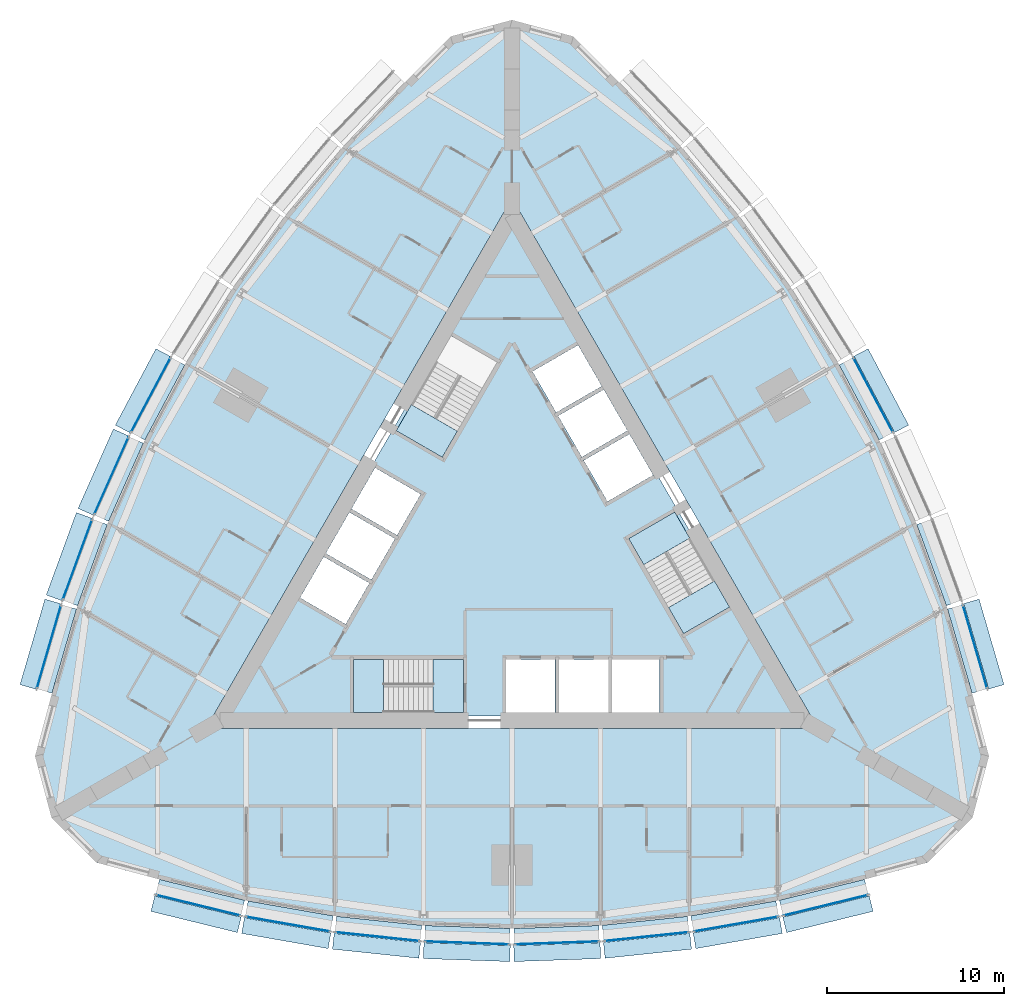
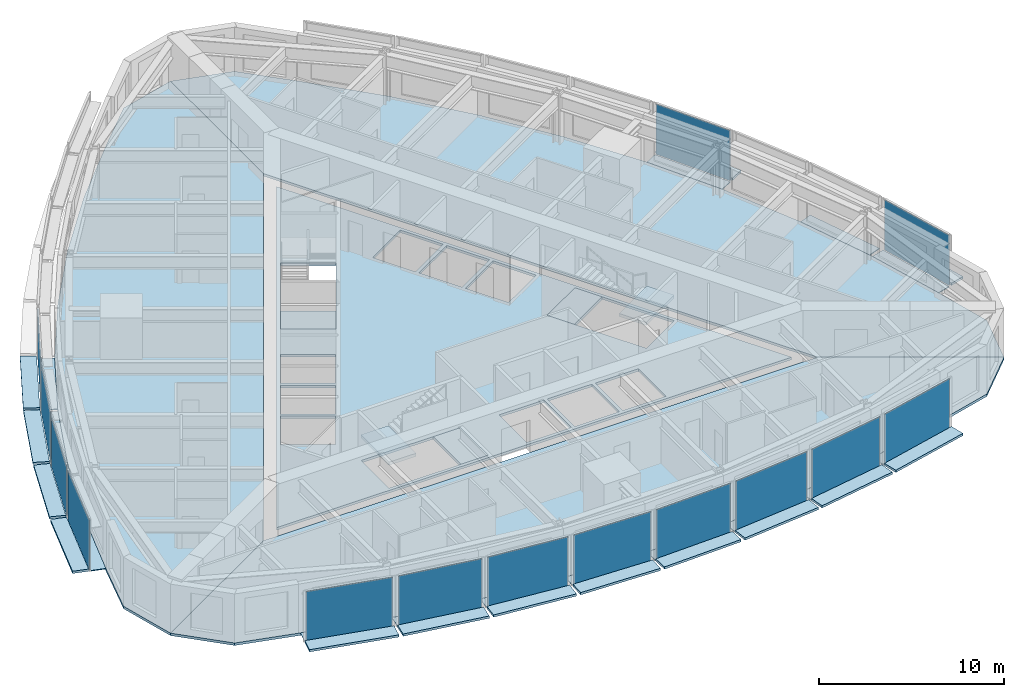
# One storey, part 6 of 14: 43 plates, 9 slabs, 17 elements without a shape of their own.
"""IFC4 building model written with IfcOpenShell, lengths in metres."""

from ifc_helpers import new_model, si_unit, direction, frame, origin, origin_2d, place, context, subcontext, project, spatial, polyline, rectangle, outline, extrude, material, layer, layer_set, type_object, element, aggregate, save


model = new_model("IFC4")

# Units and contexts
model_context = context("Model", 3, precision=1e-05, world=origin(), true_north=direction((0.0, 1.0)))
body_context = subcontext(model_context, "Body", "Model", "MODEL_VIEW")
ifc_project = project(units=[si_unit("LENGTHUNIT", "METRE"), si_unit("AREAUNIT", "SQUARE_METRE"), si_unit("VOLUMEUNIT", "CUBIC_METRE"), si_unit("PLANEANGLEUNIT", "RADIAN"), si_unit("MASSUNIT", "GRAM", prefix="KILO")], contexts=[model_context])

# Site, building, storey
site_placement = place(None, origin())
site = spatial("IfcSite", under=ifc_project, at=site_placement, CompositionType="ELEMENT")
building_placement = place(site_placement, origin())
building = spatial("IfcBuilding", under=site, at=building_placement, Name="Trikona Tower", CompositionType="ELEMENT")
storey_placement = place(building_placement, frame((0.0, 0.0, 155.5)))
storey = spatial("IfcBuildingStorey", under=building, at=storey_placement, Name="L41", CompositionType="ELEMENT", Elevation=155.5)

# Plates
ifc_material_1 = material(Name="Aluminium bar grating", Category="aluminium")
ifc_layer_1 = layer(ifc_material_1, 0.050048828125)
ifc_layer_set_1 = layer_set([ifc_layer_1], Name="Cavity catwalk grating")
plate_type_1 = type_object("IfcPlateType", Name="Cavity catwalk grating", PredefinedType="USERDEFINED", material=ifc_layer_set_1)
plate_1_placement = place(storey_placement, frame((-17.598876953125, -19.49072265625, -0.0498046875), z_axis=(0.0, 0.0, 1.0), x_axis=(0.971274411564, -0.237962218516, 0.0)))
element("IfcPlate", 1, at=plate_1_placement, inside=storey, type_object=plate_type_1, Name="Cavity catwalk L41-00", ObjectType="CATWALK GRATING", PredefinedType="USERDEFINED", context=body_context, shape_type="SweptSolid", body=[
    extrude(rectangle(XDim=4.947998046875, YDim=0.830078125, at=origin_2d()), origin(), (0.0, 0.0, 1.0), 0.050048828125),
])
plate_2_placement = place(storey_placement, frame((-12.571533203125, -20.54638671875, -0.0498046875), z_axis=(0.0, 0.0, 1.0), x_axis=(0.985030604067, -0.172379549401, 0.0)))
element("IfcPlate", 2, at=plate_2_placement, inside=storey, type_object=plate_type_1, Name="Cavity catwalk L41-01", ObjectType="CATWALK GRATING", PredefinedType="USERDEFINED", context=body_context, shape_type="SweptSolid", body=[
    extrude(rectangle(XDim=4.8759765625, YDim=0.830078125, at=origin_2d()), origin(), (0.0, 0.0, 1.0), 0.050048828125),
])
plate_3_placement = place(storey_placement, frame((-7.543212890625, -21.25048828125, -0.0498046875), z_axis=(0.0, 0.0, 1.0), x_axis=(0.994532653854, -0.104426052392, 0.0)))
element("IfcPlate", 3, at=plate_3_placement, inside=storey, type_object=plate_type_1, Name="Cavity catwalk L41-02", ObjectType="CATWALK GRATING", PredefinedType="USERDEFINED", context=body_context, shape_type="SweptSolid", body=[
    extrude(rectangle(XDim=4.827392578125, YDim=0.830078125, at=origin_2d()), origin(), (0.0, 0.0, 1.0), 0.050048828125),
])
for number, where, z_axis, x_axis, name in (
    (4, (-2.514404296875, -21.602294921875, -0.0498046875), (0.0, 0.0, 1.0), (0.999388082937, -0.034977988567, 0.0), "Cavity catwalk L41-03"),
    (5, (2.514404296875, -21.602294921875, -0.0498046875), (0.0, 0.0, 1.0), (0.999388082937, 0.034977988567, 0.0), "Cavity catwalk L41-04"),
):
    element("IfcPlate", number, at=place(storey_placement, frame(where, z_axis=z_axis, x_axis=x_axis)), inside=storey, type_object=plate_type_1, Name=name, ObjectType="CATWALK GRATING", PredefinedType="USERDEFINED", context=body_context, shape_type="SweptSolid", body=[
        extrude(rectangle(XDim=4.802978515625, YDim=0.830078125, at=origin_2d()), origin(), (0.0, 0.0, 1.0), 0.050048828125),
    ])
plate_4_placement = place(storey_placement, frame((7.543212890625, -21.25048828125, -0.0498046875), z_axis=(0.0, 0.0, 1.0), x_axis=(0.994532653854, 0.104426052392, 0.0)))
element("IfcPlate", 6, at=plate_4_placement, inside=storey, type_object=plate_type_1, Name="Cavity catwalk L41-05", ObjectType="CATWALK GRATING", PredefinedType="USERDEFINED", context=body_context, shape_type="SweptSolid", body=[
    extrude(rectangle(XDim=4.827392578125, YDim=0.830078125, at=origin_2d()), origin(), (0.0, 0.0, 1.0), 0.050048828125),
])
plate_5_placement = place(storey_placement, frame((12.571533203125, -20.54638671875, -0.0498046875), z_axis=(0.0, 0.0, 1.0), x_axis=(0.985030604067, 0.172379549401, 0.0)))
element("IfcPlate", 7, at=plate_5_placement, inside=storey, type_object=plate_type_1, Name="Cavity catwalk L41-06", ObjectType="CATWALK GRATING", PredefinedType="USERDEFINED", context=body_context, shape_type="SweptSolid", body=[
    extrude(rectangle(XDim=4.8759765625, YDim=0.830078125, at=origin_2d()), origin(), (0.0, 0.0, 1.0), 0.050048828125),
])
plate_6_placement = place(storey_placement, frame((17.598876953125, -19.49072265625, -0.0498046875), z_axis=(0.0, 0.0, 1.0), x_axis=(0.971274411564, 0.237962218516, 0.0)))
element("IfcPlate", 8, at=plate_6_placement, inside=storey, type_object=plate_type_1, Name="Cavity catwalk L41-07", ObjectType="CATWALK GRATING", PredefinedType="USERDEFINED", context=body_context, shape_type="SweptSolid", body=[
    extrude(rectangle(XDim=4.947998046875, YDim=0.830078125, at=origin_2d()), origin(), (0.0, 0.0, 1.0), 0.050048828125),
])
plate_7_placement = place(storey_placement, frame((25.678955078125, -5.49560546875, -0.0498046875), z_axis=(0.0, 0.0, 1.0), x_axis=(-0.279554203664, 0.960129911634, 0.0)))
element("IfcPlate", 9, at=plate_7_placement, inside=storey, type_object=plate_type_1, Name="Cavity catwalk L41-12", ObjectType="CATWALK GRATING", PredefinedType="USERDEFINED", context=body_context, shape_type="SweptSolid", body=[
    extrude(rectangle(XDim=4.94775390625, YDim=0.830078125, at=origin_2d()), origin(), (0.0, 0.0, 1.0), 0.050048828125),
])
plate_8_placement = place(storey_placement, frame((24.07958984375, -0.614013671875, -0.0498046875), z_axis=(0.0, 0.0, 1.0), x_axis=(-0.343220397324, 0.939254895575, 0.0)))
element("IfcPlate", 10, at=plate_8_placement, inside=storey, type_object=plate_type_1, Name="Cavity catwalk L41-13", ObjectType="CATWALK GRATING", PredefinedType="USERDEFINED", context=body_context, shape_type="SweptSolid", body=[
    extrude(rectangle(XDim=4.8759765625, YDim=0.830078125, at=origin_2d()), origin(), (0.0, 0.0, 1.0), 0.050048828125),
])
for number, where, z_axis, x_axis, name in (
    (11, (19.965576171875, 8.62353515625, -0.0498046875), (0.0, 0.0, 1.0), (-0.469397591494, 0.882986920118, 0.0), "Cavity catwalk L41-15"),
    (12, (-19.965576171875, 8.62353515625, -0.0498046875), (0.0, 0.0, 1.0), (-0.469397591494, -0.882986920118, 0.0), "Cavity catwalk L41-28"),
):
    element("IfcPlate", number, at=place(storey_placement, frame(where, z_axis=z_axis, x_axis=x_axis)), inside=storey, type_object=plate_type_1, Name=name, ObjectType="CATWALK GRATING", PredefinedType="USERDEFINED", context=body_context, shape_type="SweptSolid", body=[
        extrude(rectangle(XDim=4.802978515625, YDim=0.830078125, at=origin_2d()), origin(), (0.0, 0.0, 1.0), 0.050048828125),
    ])
plate_9_placement = place(storey_placement, frame((-22.175048828125, 4.092529296875, -0.0498046875), z_axis=(0.0, 0.0, 1.0), x_axis=(-0.406843467615, -0.913497888809, 0.0)))
element("IfcPlate", 13, at=plate_9_placement, inside=storey, type_object=plate_type_1, Name="Cavity catwalk L41-29", ObjectType="CATWALK GRATING", PredefinedType="USERDEFINED", context=body_context, shape_type="SweptSolid", body=[
    extrude(rectangle(XDim=4.827392578125, YDim=0.830078125, at=origin_2d()), origin(), (0.0, 0.0, 1.0), 0.050048828125),
])
plate_10_placement = place(storey_placement, frame((-24.07958984375, -0.614013671875, -0.0498046875), z_axis=(0.0, 0.0, 1.0), x_axis=(-0.343220397324, -0.939254895575, 0.0)))
element("IfcPlate", 14, at=plate_10_placement, inside=storey, type_object=plate_type_1, Name="Cavity catwalk L41-30", ObjectType="CATWALK GRATING", PredefinedType="USERDEFINED", context=body_context, shape_type="SweptSolid", body=[
    extrude(rectangle(XDim=4.8759765625, YDim=0.830078125, at=origin_2d()), origin(), (0.0, 0.0, 1.0), 0.050048828125),
])
plate_11_placement = place(storey_placement, frame((-25.678955078125, -5.49560546875, -0.0498046875), z_axis=(0.0, 0.0, 1.0), x_axis=(-0.279554203664, -0.960129911634, 0.0)))
element("IfcPlate", 15, at=plate_11_placement, inside=storey, type_object=plate_type_1, Name="Cavity catwalk L41-31", ObjectType="CATWALK GRATING", PredefinedType="USERDEFINED", context=body_context, shape_type="SweptSolid", body=[
    extrude(rectangle(XDim=4.94775390625, YDim=0.830078125, at=origin_2d()), origin(), (0.0, 0.0, 1.0), 0.050048828125),
])

# Slabs
ifc_material_2 = material(Name="Concrete f'c 5000 psi lightweight on composite steel deck", Category="concrete")
ifc_layer_2 = layer(ifc_material_2, 0.1650390625)
ifc_layer_set_2 = layer_set([ifc_layer_2], Name="Composite floor slab 165")
slab_type_1 = type_object("IfcSlabType", Name="Composite floor slab 165", PredefinedType="FLOOR", material=ifc_layer_set_2)
slab_1_placement = place(storey_placement, frame((0.0, 0.0, -0.1650390625)))
element("IfcSlab", 16, at=slab_1_placement, inside=storey, type_object=slab_type_1, Name="Floor slab L41 core", PredefinedType="FLOOR", context=body_context, shape_type="SweptSolid", body=[
    extrude(outline(polyline([(-16.06689453125, -9.2763671875), (16.06689453125, -9.2763671875), (0.0, 18.552490234375), (-16.06689453125, -9.2763671875)]), holes=[polyline([(12.285400390625, -3.126220703125), (9.185302734375, 2.2431640625), (6.587158203125, 0.7431640625), (9.687255859375, -4.626220703125), (12.285400390625, -3.126220703125)]), polyline([(8.340087890625, -9.06640625), (8.340087890625, -6.086181640625), (5.659912109375, -6.086181640625), (5.659912109375, -9.06640625), (8.340087890625, -9.06640625)]), polyline([(5.390869140625, 2.835205078125), (7.9716796875, 4.3251953125), (6.631591796875, 6.646240234375), (4.05078125, 5.15625), (5.390869140625, 2.835205078125)]), polyline([(2.600830078125, 7.667724609375), (3.94091796875, 5.3466796875), (6.521484375, 6.8369140625), (5.181640625, 9.15771484375), (2.600830078125, 7.667724609375)]), polyline([(5.43994140625, -6.086181640625), (2.659912109375, -6.086181640625), (2.659912109375, -9.06640625), (5.43994140625, -9.06640625), (5.43994140625, -6.086181640625)]), polyline([(3.731689453125, 11.669189453125), (1.15087890625, 10.17919921875), (2.490966796875, 7.858154296875), (5.071533203125, 9.34814453125), (3.731689453125, 11.669189453125)]), polyline([(-0.340087890625, -6.086181640625), (-0.340087890625, -9.06640625), (2.43994140625, -9.06640625), (2.43994140625, -6.086181640625), (-0.340087890625, -6.086181640625)]), polyline([(-3.435302734375, 12.202392578125), (-6.535400390625, 6.8330078125), (-3.937255859375, 5.3330078125), (-0.837158203125, 10.702392578125), (-3.435302734375, 12.202392578125)]), polyline([(-8.949951171875, -9.076416015625), (-2.75, -9.076416015625), (-2.75, -6.076416015625), (-8.949951171875, -6.076416015625), (-8.949951171875, -9.076416015625)]), polyline([(-5.15087890625, 3.2509765625), (-7.731689453125, 4.740966796875), (-9.071533203125, 2.419921875), (-6.490966796875, 0.929931640625), (-5.15087890625, 3.2509765625)]), polyline([(-7.94091796875, -1.581298828125), (-6.600830078125, 0.739501953125), (-9.181640625, 2.2294921875), (-10.521484375, -0.09130859375), (-7.94091796875, -1.581298828125)]), polyline([(-11.9716796875, -2.602783203125), (-9.390869140625, -4.093017578125), (-8.05078125, -1.77197265625), (-10.631591796875, -0.281982421875), (-11.9716796875, -2.602783203125)])]), origin(), (0.0, 0.0, 1.0), 0.1650390625),
])
slab_2_placement = place(storey_placement, frame((0.0, 0.0, -0.1650390625)))
element("IfcSlab", 17, at=slab_2_placement, inside=storey, type_object=slab_type_1, Name="Floor slab L41 south", PredefinedType="FLOOR", context=body_context, shape_type="SweptSolid", body=[
    extrude(outline(polyline([(23.464111328125, -17.547119140625), (26.0, -15.010986328125), (17.279296875, -9.976318359375), (-17.279296875, -9.976318359375), (-26.0, -15.010986328125), (-23.464111328125, -17.547119140625), (-20.0, -18.47509765625), (-15.0, -19.7001953125), (-10.0, -20.5751953125), (-5.0, -21.10009765625), (0.0, -21.275146484375), (5.0, -21.10009765625), (10.0, -20.5751953125), (15.0, -19.7001953125), (20.0, -18.47509765625), (23.464111328125, -17.547119140625)])), origin(), (0.0, 0.0, 1.0), 0.1650390625),
])
slab_3_placement = place(storey_placement, frame((0.0, 0.0, -0.1650390625)))
element("IfcSlab", 18, at=slab_3_placement, inside=storey, type_object=slab_type_1, Name="Floor slab L41 north-east", PredefinedType="FLOOR", context=body_context, shape_type="SweptSolid", body=[
    extrude(outline(polyline([(3.464111328125, 29.093994140625), (0.0, 30.022216796875), (0.0, 19.95263671875), (17.279296875, -9.976318359375), (26.0, -15.010986328125), (26.92822265625, -11.547119140625), (26.0, -8.0830078125), (24.560791015625, -3.140380859375), (22.818603515625, 1.62744140625), (20.773193359375, 6.219970703125), (18.4248046875, 10.6376953125), (15.773193359375, 14.880126953125), (12.818603515625, 18.947998046875), (9.560791015625, 22.840576171875), (6.0, 26.55810546875), (3.464111328125, 29.093994140625)])), origin(), (0.0, 0.0, 1.0), 0.1650390625),
])
slab_4_placement = place(storey_placement, frame((0.0, 0.0, -0.1650390625)))
element("IfcSlab", 19, at=slab_4_placement, inside=storey, type_object=slab_type_1, Name="Floor slab L41 north-west", PredefinedType="FLOOR", context=body_context, shape_type="SweptSolid", body=[
    extrude(outline(polyline([(0.0, 19.95263671875), (0.0, 30.022216796875), (-3.464111328125, 29.093994140625), (-6.0, 26.55810546875), (-9.560791015625, 22.840576171875), (-12.818603515625, 18.947998046875), (-15.773193359375, 14.880126953125), (-18.4248046875, 10.6376953125), (-20.773193359375, 6.219970703125), (-22.818603515625, 1.62744140625), (-24.560791015625, -3.140380859375), (-26.0, -8.0830078125), (-26.92822265625, -11.547119140625), (-26.0, -15.010986328125), (-17.279296875, -9.976318359375), (0.0, 19.95263671875)])), origin(), (0.0, 0.0, 1.0), 0.1650390625),
])

# Curtain wall, plate
ifc_material_3 = material(Name="Aluminium curtain wall system", Category="aluminium")
curtain_wall_type = type_object("IfcCurtainWallType", Name="Curtain wall DS2", PredefinedType="NOTDEFINED", material=ifc_material_3)
curtain_wall_1_placement = place(storey_placement, origin())
curtain_wall_1 = element("IfcCurtainWall", 20, at=curtain_wall_1_placement, inside=storey, type_object=curtain_wall_type, Name="Curtain wall DS2 L41", PredefinedType="NOTDEFINED")
ifc_material_4 = material(Name="Laminated clear glass", Category="glass")
ifc_layer_3 = layer(ifc_material_4, 0.028076171875)
ifc_layer_set_3 = layer_set([ifc_layer_3], Name="Glass panel DS2")
plate_type_2 = type_object("IfcPlateType", Name="Glass panel DS2", PredefinedType="CURTAIN_PANEL", material=ifc_layer_set_3)
plate_12_placement = place(storey_placement, frame((-17.714111328125, -19.9619140625, 0.0), z_axis=(0.0, 0.0, 1.0), x_axis=(0.971272455026, -0.237970204243, 0.0)))
plate_12 = element("IfcPlate", 21, at=plate_12_placement, type_object=plate_type_2, Name="CW-DS2 panel 1.1", PredefinedType="CURTAIN_PANEL", context=body_context, shape_type="SweptSolid", body=[
    extrude(rectangle(XDim=4.867919921875, YDim=0.028076171875, at=origin_2d()), origin(), (0.0, 0.0, 1.0), 3.320068359375),
])
aggregate(curtain_wall_1, [plate_12])

curtain_wall_2_placement = place(storey_placement, origin())
curtain_wall_2 = element("IfcCurtainWall", 22, at=curtain_wall_2_placement, inside=storey, type_object=curtain_wall_type, Name="Curtain wall DS2 L41", PredefinedType="NOTDEFINED")
plate_13_placement = place(storey_placement, frame((-12.655029296875, -21.024169921875, 0.0), z_axis=(0.0, 0.0, 1.0), x_axis=(0.985030981074, -0.17237739505, 0.0)))
plate_13 = element("IfcPlate", 23, at=plate_13_placement, type_object=plate_type_2, Name="CW-DS2 panel 1.1", PredefinedType="CURTAIN_PANEL", context=body_context, shape_type="SweptSolid", body=[
    extrude(rectangle(XDim=4.7958984375, YDim=0.028076171875, at=origin_2d()), origin(), (0.0, 0.0, 1.0), 3.320068359375),
])
aggregate(curtain_wall_2, [plate_13])

curtain_wall_3_placement = place(storey_placement, origin())
curtain_wall_3 = element("IfcCurtainWall", 24, at=curtain_wall_3_placement, inside=storey, type_object=curtain_wall_type, Name="Curtain wall DS2 L41", PredefinedType="NOTDEFINED")
plate_14_placement = place(storey_placement, frame((-7.593994140625, -21.732666015625, 0.0), z_axis=(0.0, 0.0, 1.0), x_axis=(0.994531883654, -0.104433387357, 0.0)))
plate_14 = element("IfcPlate", 25, at=plate_14_placement, type_object=plate_type_2, Name="CW-DS2 panel 1.1", PredefinedType="CURTAIN_PANEL", context=body_context, shape_type="SweptSolid", body=[
    extrude(rectangle(XDim=4.747314453125, YDim=0.028076171875, at=origin_2d()), origin(), (0.0, 0.0, 1.0), 3.320068359375),
])
aggregate(curtain_wall_3, [plate_14])

curtain_wall_4_placement = place(storey_placement, origin())
curtain_wall_4 = element("IfcCurtainWall", 26, at=curtain_wall_4_placement, inside=storey, type_object=curtain_wall_type, Name="Curtain wall DS2 L41", PredefinedType="NOTDEFINED")
plate_15_placement = place(storey_placement, frame((-2.531494140625, -22.087158203125, 0.0), z_axis=(0.0, 0.0, 1.0), x_axis=(0.99938737114, -0.034998320052, 0.0)))
plate_15 = element("IfcPlate", 27, at=plate_15_placement, type_object=plate_type_2, Name="CW-DS2 panel 1.1", PredefinedType="CURTAIN_PANEL", context=body_context, shape_type="SweptSolid", body=[
    extrude(rectangle(XDim=4.72314453125, YDim=0.028076171875, at=origin_2d()), origin(), (0.0, 0.0, 1.0), 3.320068359375),
])
aggregate(curtain_wall_4, [plate_15])

curtain_wall_5_placement = place(storey_placement, origin())
curtain_wall_5 = element("IfcCurtainWall", 28, at=curtain_wall_5_placement, inside=storey, type_object=curtain_wall_type, Name="Curtain wall DS2 L41", PredefinedType="NOTDEFINED")
plate_16_placement = place(storey_placement, frame((2.531494140625, -22.087158203125, 0.0), z_axis=(0.0, 0.0, 1.0), x_axis=(0.99938737114, 0.034998320052, 0.0)))
plate_16 = element("IfcPlate", 29, at=plate_16_placement, type_object=plate_type_2, Name="CW-DS2 panel 1.1", PredefinedType="CURTAIN_PANEL", context=body_context, shape_type="SweptSolid", body=[
    extrude(rectangle(XDim=4.72314453125, YDim=0.028076171875, at=origin_2d()), origin(), (0.0, 0.0, 1.0), 3.320068359375),
])
aggregate(curtain_wall_5, [plate_16])

curtain_wall_6_placement = place(storey_placement, origin())
curtain_wall_6 = element("IfcCurtainWall", 30, at=curtain_wall_6_placement, inside=storey, type_object=curtain_wall_type, Name="Curtain wall DS2 L41", PredefinedType="NOTDEFINED")
plate_17_placement = place(storey_placement, frame((7.593994140625, -21.732666015625, 0.0), z_axis=(0.0, 0.0, 1.0), x_axis=(0.994531883654, 0.104433387357, 0.0)))
plate_17 = element("IfcPlate", 31, at=plate_17_placement, type_object=plate_type_2, Name="CW-DS2 panel 1.1", PredefinedType="CURTAIN_PANEL", context=body_context, shape_type="SweptSolid", body=[
    extrude(rectangle(XDim=4.747314453125, YDim=0.028076171875, at=origin_2d()), origin(), (0.0, 0.0, 1.0), 3.320068359375),
])
aggregate(curtain_wall_6, [plate_17])

curtain_wall_7_placement = place(storey_placement, origin())
curtain_wall_7 = element("IfcCurtainWall", 32, at=curtain_wall_7_placement, inside=storey, type_object=curtain_wall_type, Name="Curtain wall DS2 L41", PredefinedType="NOTDEFINED")
plate_18_placement = place(storey_placement, frame((12.655029296875, -21.024169921875, 0.0), z_axis=(0.0, 0.0, 1.0), x_axis=(0.985030981074, 0.17237739505, 0.0)))
plate_18 = element("IfcPlate", 33, at=plate_18_placement, type_object=plate_type_2, Name="CW-DS2 panel 1.1", PredefinedType="CURTAIN_PANEL", context=body_context, shape_type="SweptSolid", body=[
    extrude(rectangle(XDim=4.7958984375, YDim=0.028076171875, at=origin_2d()), origin(), (0.0, 0.0, 1.0), 3.320068359375),
])
aggregate(curtain_wall_7, [plate_18])

curtain_wall_8_placement = place(storey_placement, origin())
curtain_wall_8 = element("IfcCurtainWall", 34, at=curtain_wall_8_placement, inside=storey, type_object=curtain_wall_type, Name="Curtain wall DS2 L41", PredefinedType="NOTDEFINED")
plate_19_placement = place(storey_placement, frame((17.714111328125, -19.9619140625, 0.0), z_axis=(0.0, 0.0, 1.0), x_axis=(0.971272455026, 0.237970204243, 0.0)))
plate_19 = element("IfcPlate", 35, at=plate_19_placement, type_object=plate_type_2, Name="CW-DS2 panel 1.1", PredefinedType="CURTAIN_PANEL", context=body_context, shape_type="SweptSolid", body=[
    extrude(rectangle(XDim=4.867919921875, YDim=0.028076171875, at=origin_2d()), origin(), (0.0, 0.0, 1.0), 3.320068359375),
])
aggregate(curtain_wall_8, [plate_19])

curtain_wall_9_placement = place(storey_placement, origin())
curtain_wall_9 = element("IfcCurtainWall", 36, at=curtain_wall_9_placement, inside=storey, type_object=curtain_wall_type, Name="Curtain wall DS2 L41", PredefinedType="NOTDEFINED")
plate_20_placement = place(storey_placement, frame((26.14453125, -5.360107421875, 0.0), z_axis=(0.0, 0.0, 1.0), x_axis=(-0.279543247757, 0.96013310152, 0.0)))
plate_20 = element("IfcPlate", 37, at=plate_20_placement, type_object=plate_type_2, Name="CW-DS2 panel 1.1", PredefinedType="CURTAIN_PANEL", context=body_context, shape_type="SweptSolid", body=[
    extrude(rectangle(XDim=4.867919921875, YDim=0.028076171875, at=origin_2d()), origin(), (0.0, 0.0, 1.0), 3.320068359375),
])
aggregate(curtain_wall_9, [plate_20])

curtain_wall_10_placement = place(storey_placement, origin())
curtain_wall_10 = element("IfcCurtainWall", 38, at=curtain_wall_10_placement, inside=storey, type_object=curtain_wall_type, Name="Curtain wall DS2 L41", PredefinedType="NOTDEFINED")
plate_21_placement = place(storey_placement, frame((20.393798828125, 8.851318359375, 0.0), z_axis=(0.0, 0.0, 1.0), x_axis=(-0.469380308937, 0.882996107343, 0.0)))
plate_21 = element("IfcPlate", 39, at=plate_21_placement, type_object=plate_type_2, Name="CW-DS2 panel 1.1", PredefinedType="CURTAIN_PANEL", context=body_context, shape_type="SweptSolid", body=[
    extrude(rectangle(XDim=4.72314453125, YDim=0.028076171875, at=origin_2d()), origin(), (0.0, 0.0, 1.0), 3.320068359375),
])
aggregate(curtain_wall_10, [plate_21])

curtain_wall_11_placement = place(storey_placement, origin())
curtain_wall_11 = element("IfcCurtainWall", 40, at=curtain_wall_11_placement, inside=storey, type_object=curtain_wall_type, Name="Curtain wall DS2 L41", PredefinedType="NOTDEFINED")
plate_22_placement = place(storey_placement, frame((-20.393798828125, 8.851318359375, 0.0), z_axis=(0.0, 0.0, 1.0), x_axis=(-0.469380308937, -0.882996107343, 0.0)))
plate_22 = element("IfcPlate", 41, at=plate_22_placement, type_object=plate_type_2, Name="CW-DS2 panel 1.1", PredefinedType="CURTAIN_PANEL", context=body_context, shape_type="SweptSolid", body=[
    extrude(rectangle(XDim=4.72314453125, YDim=0.028076171875, at=origin_2d()), origin(), (0.0, 0.0, 1.0), 3.320068359375),
])
aggregate(curtain_wall_11, [plate_22])

curtain_wall_12_placement = place(storey_placement, origin())
curtain_wall_12 = element("IfcCurtainWall", 42, at=curtain_wall_12_placement, inside=storey, type_object=curtain_wall_type, Name="Curtain wall DS2 L41", PredefinedType="NOTDEFINED")
plate_23_placement = place(storey_placement, frame((-22.6181640625, 4.289794921875, 0.0), z_axis=(0.0, 0.0, 1.0), x_axis=(-0.406836013132, -0.913501208767, 0.0)))
plate_23 = element("IfcPlate", 43, at=plate_23_placement, type_object=plate_type_2, Name="CW-DS2 panel 1.1", PredefinedType="CURTAIN_PANEL", context=body_context, shape_type="SweptSolid", body=[
    extrude(rectangle(XDim=4.747314453125, YDim=0.028076171875, at=origin_2d()), origin(), (0.0, 0.0, 1.0), 3.320068359375),
])
aggregate(curtain_wall_12, [plate_23])

curtain_wall_13_placement = place(storey_placement, origin())
curtain_wall_13 = element("IfcCurtainWall", 44, at=curtain_wall_13_placement, inside=storey, type_object=curtain_wall_type, Name="Curtain wall DS2 L41", PredefinedType="NOTDEFINED")
plate_24_placement = place(storey_placement, frame((-24.53515625, -0.447509765625, 0.0), z_axis=(0.0, 0.0, 1.0), x_axis=(-0.343223420143, -0.939253790978, 0.0)))
plate_24 = element("IfcPlate", 45, at=plate_24_placement, type_object=plate_type_2, Name="CW-DS2 panel 1.1", PredefinedType="CURTAIN_PANEL", context=body_context, shape_type="SweptSolid", body=[
    extrude(rectangle(XDim=4.7958984375, YDim=0.028076171875, at=origin_2d()), origin(), (0.0, 0.0, 1.0), 3.320068359375),
])
aggregate(curtain_wall_13, [plate_24])

curtain_wall_14_placement = place(storey_placement, origin())
curtain_wall_14 = element("IfcCurtainWall", 46, at=curtain_wall_14_placement, inside=storey, type_object=curtain_wall_type, Name="Curtain wall DS2 L41", PredefinedType="NOTDEFINED")
plate_25_placement = place(storey_placement, frame((-26.14453125, -5.360107421875, 0.0), z_axis=(0.0, 0.0, 1.0), x_axis=(-0.279543247757, -0.96013310152, 0.0)))
plate_25 = element("IfcPlate", 47, at=plate_25_placement, type_object=plate_type_2, Name="CW-DS2 panel 1.1", PredefinedType="CURTAIN_PANEL", context=body_context, shape_type="SweptSolid", body=[
    extrude(rectangle(XDim=4.867919921875, YDim=0.028076171875, at=origin_2d()), origin(), (0.0, 0.0, 1.0), 3.320068359375),
])
aggregate(curtain_wall_14, [plate_25])

# Plates
ifc_material_5 = material(Name="Aluminium plate fin, pale anodised, on stainless steel outriggers", Category="steel")
ifc_layer_4 = layer(ifc_material_5, 0.14990234375)
ifc_layer_set_4 = layer_set([ifc_layer_4], Name="Outer skin fin 900")
plate_type_3 = type_object("IfcPlateType", Name="Outer skin fin 900", PredefinedType="USERDEFINED", material=ifc_layer_set_4)
plate_26_placement = place(storey_placement, frame((-17.837890625, -20.466796875, 0.0), z_axis=(0.0, 0.0, 1.0), x_axis=(0.971274411564, -0.237962218516, 0.0)))
element("IfcPlate", 48, at=plate_26_placement, inside=storey, type_object=plate_type_3, Name="Outer skin fin L41-00", ObjectType="FIN", PredefinedType="USERDEFINED", context=body_context, shape_type="SweptSolid", body=[
    extrude(rectangle(XDim=5.02783203125, YDim=0.89990234375, at=origin_2d()), origin(), (0.0, 0.0, 1.0), 0.14990234375),
])
plate_27_placement = place(storey_placement, frame((-12.744873046875, -21.536376953125, 0.0), z_axis=(0.0, 0.0, 1.0), x_axis=(0.985030604067, -0.172379549401, 0.0)))
element("IfcPlate", 49, at=plate_27_placement, inside=storey, type_object=plate_type_3, Name="Outer skin fin L41-01", ObjectType="FIN", PredefinedType="USERDEFINED", context=body_context, shape_type="SweptSolid", body=[
    extrude(rectangle(XDim=4.9560546875, YDim=0.89990234375, at=origin_2d()), origin(), (0.0, 0.0, 1.0), 0.14990234375),
])
plate_28_placement = place(storey_placement, frame((-7.648193359375, -22.25, 0.0), z_axis=(0.0, 0.0, 1.0), x_axis=(0.994532653854, -0.104426052392, 0.0)))
element("IfcPlate", 50, at=plate_28_placement, inside=storey, type_object=plate_type_3, Name="Outer skin fin L41-02", ObjectType="FIN", PredefinedType="USERDEFINED", context=body_context, shape_type="SweptSolid", body=[
    extrude(rectangle(XDim=4.907470703125, YDim=0.89990234375, at=origin_2d()), origin(), (0.0, 0.0, 1.0), 0.14990234375),
])
for number, where, z_axis, x_axis, name in (
    (51, (-2.5498046875, -22.606689453125, 0.0), (0.0, 0.0, 1.0), (0.999388082937, -0.034977988567, 0.0), "Outer skin fin L41-03"),
    (52, (2.5498046875, -22.606689453125, 0.0), (0.0, 0.0, 1.0), (0.999388082937, 0.034977988567, 0.0), "Outer skin fin L41-04"),
):
    element("IfcPlate", number, at=place(storey_placement, frame(where, z_axis=z_axis, x_axis=x_axis)), inside=storey, type_object=plate_type_3, Name=name, ObjectType="FIN", PredefinedType="USERDEFINED", context=body_context, shape_type="SweptSolid", body=[
        extrude(rectangle(XDim=4.883056640625, YDim=0.89990234375, at=origin_2d()), origin(), (0.0, 0.0, 1.0), 0.14990234375),
    ])
plate_29_placement = place(storey_placement, frame((7.648193359375, -22.25, 0.0), z_axis=(0.0, 0.0, 1.0), x_axis=(0.994532653854, 0.104426052392, 0.0)))
element("IfcPlate", 53, at=plate_29_placement, inside=storey, type_object=plate_type_3, Name="Outer skin fin L41-05", ObjectType="FIN", PredefinedType="USERDEFINED", context=body_context, shape_type="SweptSolid", body=[
    extrude(rectangle(XDim=4.907470703125, YDim=0.89990234375, at=origin_2d()), origin(), (0.0, 0.0, 1.0), 0.14990234375),
])
plate_30_placement = place(storey_placement, frame((12.744873046875, -21.536376953125, 0.0), z_axis=(0.0, 0.0, 1.0), x_axis=(0.985030604067, 0.172379549401, 0.0)))
element("IfcPlate", 54, at=plate_30_placement, inside=storey, type_object=plate_type_3, Name="Outer skin fin L41-06", ObjectType="FIN", PredefinedType="USERDEFINED", context=body_context, shape_type="SweptSolid", body=[
    extrude(rectangle(XDim=4.9560546875, YDim=0.89990234375, at=origin_2d()), origin(), (0.0, 0.0, 1.0), 0.14990234375),
])
for number, where, z_axis, x_axis, name in (
    (55, (17.837890625, -20.466796875, 0.0), (0.0, 0.0, 1.0), (0.971274411564, 0.237962218516, 0.0), "Outer skin fin L41-07"),
    (56, (26.643798828125, -5.214599609375, 0.0), (0.0, 0.0, 1.0), (-0.279554203664, 0.960129911634, 0.0), "Outer skin fin L41-12"),
):
    element("IfcPlate", number, at=place(storey_placement, frame(where, z_axis=z_axis, x_axis=x_axis)), inside=storey, type_object=plate_type_3, Name=name, ObjectType="FIN", PredefinedType="USERDEFINED", context=body_context, shape_type="SweptSolid", body=[
        extrude(rectangle(XDim=5.02783203125, YDim=0.89990234375, at=origin_2d()), origin(), (0.0, 0.0, 1.0), 0.14990234375),
    ])
for number, where, z_axis, x_axis, name in (
    (57, (20.852783203125, 9.09521484375, 0.0), (0.0, 0.0, 1.0), (-0.469397591494, 0.882986920118, 0.0), "Outer skin fin L41-15"),
    (58, (-20.852783203125, 9.09521484375, 0.0), (0.0, 0.0, 1.0), (-0.469397591494, -0.882986920118, 0.0), "Outer skin fin L41-28"),
):
    element("IfcPlate", number, at=place(storey_placement, frame(where, z_axis=z_axis, x_axis=x_axis)), inside=storey, type_object=plate_type_3, Name=name, ObjectType="FIN", PredefinedType="USERDEFINED", context=body_context, shape_type="SweptSolid", body=[
        extrude(rectangle(XDim=4.883056640625, YDim=0.89990234375, at=origin_2d()), origin(), (0.0, 0.0, 1.0), 0.14990234375),
    ])
plate_31_placement = place(storey_placement, frame((-23.09326171875, 4.50146484375, 0.0), z_axis=(0.0, 0.0, 1.0), x_axis=(-0.406843467615, -0.913497888809, 0.0)))
element("IfcPlate", 59, at=plate_31_placement, inside=storey, type_object=plate_type_3, Name="Outer skin fin L41-29", ObjectType="FIN", PredefinedType="USERDEFINED", context=body_context, shape_type="SweptSolid", body=[
    extrude(rectangle(XDim=4.907470703125, YDim=0.89990234375, at=origin_2d()), origin(), (0.0, 0.0, 1.0), 0.14990234375),
])
plate_32_placement = place(storey_placement, frame((-25.0234375, -0.26904296875, 0.0), z_axis=(0.0, 0.0, 1.0), x_axis=(-0.343220397324, -0.939254895575, 0.0)))
element("IfcPlate", 60, at=plate_32_placement, inside=storey, type_object=plate_type_3, Name="Outer skin fin L41-30", ObjectType="FIN", PredefinedType="USERDEFINED", context=body_context, shape_type="SweptSolid", body=[
    extrude(rectangle(XDim=4.9560546875, YDim=0.89990234375, at=origin_2d()), origin(), (0.0, 0.0, 1.0), 0.14990234375),
])
plate_33_placement = place(storey_placement, frame((-26.643798828125, -5.214599609375, 0.0), z_axis=(0.0, 0.0, 1.0), x_axis=(-0.279554203664, -0.960129911634, 0.0)))
element("IfcPlate", 61, at=plate_33_placement, inside=storey, type_object=plate_type_3, Name="Outer skin fin L41-31", ObjectType="FIN", PredefinedType="USERDEFINED", context=body_context, shape_type="SweptSolid", body=[
    extrude(rectangle(XDim=5.02783203125, YDim=0.89990234375, at=origin_2d()), origin(), (0.0, 0.0, 1.0), 0.14990234375),
])

# Stair, slabs
ifc_material_6 = material(Name="Concrete f'c 5000 psi", Category="concrete")
stair_type = type_object("IfcStairType", Name="Core stair", PredefinedType="HALF_TURN_STAIR", material=ifc_material_6)
stair_1_placement = place(storey_placement, origin())
stair_1 = element("IfcStair", 62, at=stair_1_placement, inside=storey, type_object=stair_type, Name="Stair A L41", PredefinedType="HALF_TURN_STAIR")
ifc_material_7 = material(Name="Concrete f'c 5000 psi", Category="concrete")
ifc_layer_5 = layer(ifc_material_7, 0.199951171875)
ifc_layer_set_5 = layer_set([ifc_layer_5], Name="Stair landing 200")
slab_type_2 = type_object("IfcSlabType", Name="Stair landing 200", PredefinedType="LANDING", material=ifc_layer_set_5)
slab_5_placement = place(storey_placement, frame((0.0, 0.0, -0.199951171875)))
slab_5 = element("IfcSlab", 63, at=slab_5_placement, type_object=slab_type_2, Name="ST-A landing 1", PredefinedType="LANDING", context=body_context, shape_type="SweptSolid", body=[
    extrude(outline(polyline([(-4.452880859375, -6.076416015625), (-2.75, -6.076416015625), (-2.75, -9.076416015625), (-4.452880859375, -9.076416015625), (-4.452880859375, -6.076416015625)])), origin(), (0.0, 0.0, 1.0), 0.199951171875),
])
slab_6_placement = place(storey_placement, frame((0.0, 0.0, 1.5)))
slab_6 = element("IfcSlab", 64, at=slab_6_placement, type_object=slab_type_2, Name="ST-A landing 2", PredefinedType="LANDING", context=body_context, shape_type="SweptSolid", body=[
    extrude(outline(polyline([(-8.949951171875, -6.076416015625), (-7.2470703125, -6.076416015625), (-7.2470703125, -9.076416015625), (-8.949951171875, -9.076416015625), (-8.949951171875, -6.076416015625)])), origin(), (0.0, 0.0, 1.0), 0.199951171875),
])
aggregate(stair_1, [slab_5, slab_6])

stair_2_placement = place(storey_placement, origin())
stair_2 = element("IfcStair", 65, at=stair_2_placement, inside=storey, type_object=stair_type, Name="Stair B L41", PredefinedType="HALF_TURN_STAIR")
slab_7_placement = place(storey_placement, frame((0.0, 0.0, -0.199951171875)))
slab_7 = element("IfcSlab", 66, at=slab_7_placement, type_object=slab_type_2, Name="ST-B landing 1", PredefinedType="LANDING", context=body_context, shape_type="SweptSolid", body=[
    extrude(outline(polyline([(7.438720703125, -0.731689453125), (6.587158203125, 0.7431640625), (9.185302734375, 2.2431640625), (10.036865234375, 0.768310546875), (7.438720703125, -0.731689453125)])), origin(), (0.0, 0.0, 1.0), 0.199951171875),
])
slab_8_placement = place(storey_placement, frame((0.0, 0.0, 1.5)))
slab_8 = element("IfcSlab", 67, at=slab_8_placement, type_object=slab_type_2, Name="ST-B landing 2", PredefinedType="LANDING", context=body_context, shape_type="SweptSolid", body=[
    extrude(outline(polyline([(9.687255859375, -4.626220703125), (8.835693359375, -3.1513671875), (11.433837890625, -1.6513671875), (12.285400390625, -3.126220703125), (9.687255859375, -4.626220703125)])), origin(), (0.0, 0.0, 1.0), 0.199951171875),
])
aggregate(stair_2, [slab_7, slab_8])

# Stair, slab
stair_3_placement = place(storey_placement, origin())
stair_3 = element("IfcStair", 68, at=stair_3_placement, inside=storey, type_object=stair_type, Name="Stair C L41", PredefinedType="HALF_TURN_STAIR")
slab_9_placement = place(storey_placement, frame((0.0, 0.0, -0.199951171875)))
slab_9 = element("IfcSlab", 69, at=slab_9_placement, type_object=slab_type_2, Name="ST-C landing 1", PredefinedType="LANDING", context=body_context, shape_type="SweptSolid", body=[
    extrude(outline(polyline([(-3.085693359375, 6.807861328125), (-3.937255859375, 5.3330078125), (-6.535400390625, 6.8330078125), (-5.683837890625, 8.307861328125), (-3.085693359375, 6.807861328125)])), origin(), (0.0, 0.0, 1.0), 0.199951171875),
])
aggregate(stair_3, [slab_9])

save(model, "model.ifc")
